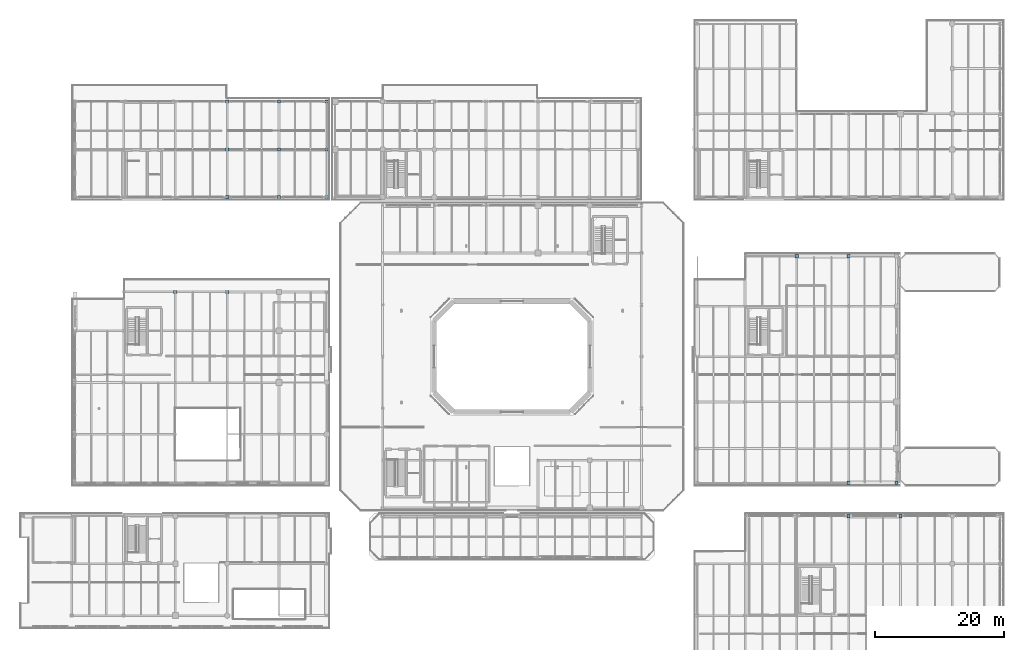
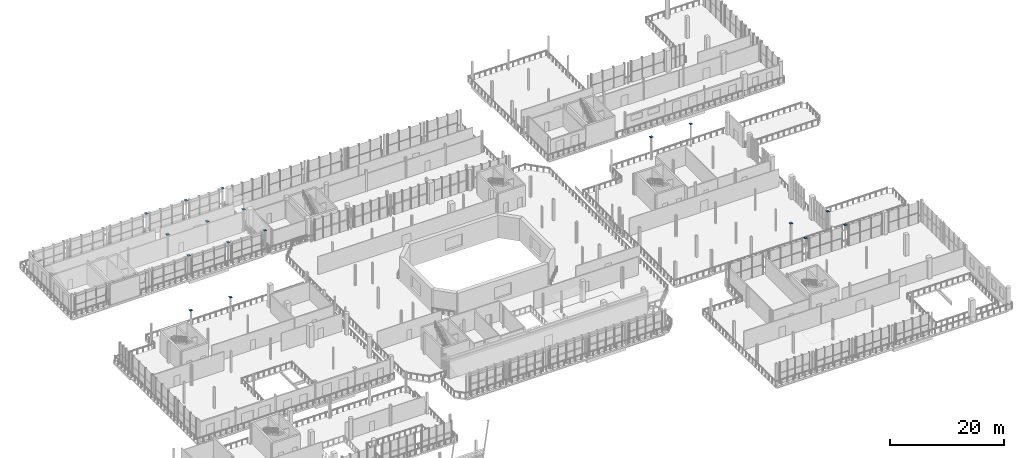
# One storey, part 78 of 93: 17 discrete accessories.
"""IFC4 building model written with IfcOpenShell, lengths in metres."""

from ifc_helpers import new_model, si_unit, direction, frame, origin, origin_2d, place, context, subcontext, project, spatial, rectangle, extrude, material, type_object, element, save


model = new_model("IFC4")

# Units and contexts
model_context = context("Model", 3, precision=1e-05, world=origin(), true_north=direction((0.0, 1.0)))
body_context = subcontext(model_context, "Body", "Model", "MODEL_VIEW")
ifc_project = project(units=[si_unit("LENGTHUNIT", "METRE"), si_unit("AREAUNIT", "SQUARE_METRE"), si_unit("VOLUMEUNIT", "CUBIC_METRE"), si_unit("PLANEANGLEUNIT", "RADIAN"), si_unit("MASSUNIT", "GRAM", prefix="KILO")], contexts=[model_context])

# Site, building, storey
site_placement = place(None, origin())
site = spatial("IfcSite", under=ifc_project, at=site_placement, CompositionType="ELEMENT")
building_placement = place(site_placement, origin())
building = spatial("IfcBuilding", under=site, at=building_placement, Name="Brisemont Oceanarium", CompositionType="ELEMENT")
storey_placement = place(building_placement, frame((0.0, 0.0, 5.39990234375)))
storey = spatial("IfcBuildingStorey", under=building, at=storey_placement, Name="L01", CompositionType="ELEMENT", Elevation=5.39990234375)

# Discrete accessories
ifc_material = material(Name="Structural Steel ASTM A572 Gr.50", Category="steel")
discrete_accessory_type = type_object("IfcDiscreteAccessoryType", Name="ACC-CAP-STL", PredefinedType="ANCHORPLATE", material=ifc_material)
for number, where, z_axis, x_axis, name in (
    (1, (136.0, 31.35009765625, 4.7900390625), (0.0, 0.0, 1.0), (1.0, 0.0, 0.0), "V3 L01 hollow column welded end cap (3,4)"),
    (2, (144.0, 31.35009765625, 4.7900390625), (0.0, 0.0, 1.0), (1.0, 0.0, 0.0), "V3 L01 hollow column welded end cap (4,4)"),
    (3, (32.0, 66.0, 4.7900390625), (0.0, 0.0, 1.0), (1.0, 0.0, 0.0), "V5W L01 hollow column welded end cap (2,4)"),
    (4, (40.0, 66.0, 4.7900390625), (0.0, 0.0, 1.0), (1.0, 0.0, 0.0), "V5W L01 hollow column welded end cap (3,4)"),
    (5, (128.0, 71.5, 4.7900390625), (0.0, 0.0, 1.0), (1.0, 0.0, 0.0), "V5E L01 hollow column welded end cap (2,5)"),
    (6, (136.0, 36.5, 4.7900390625), (0.0, 0.0, 1.0), (1.0, 0.0, 0.0), "V5E L01 hollow column welded end cap (3,0)"),
    (7, (136.0, 71.5, 4.7900390625), (0.0, 0.0, 1.0), (1.0, 0.0, 0.0), "V5E L01 hollow column welded end cap (3,5)"),
    (8, (143.39990234375, 36.5, 4.7900390625), (0.0, 0.0, 1.0), (1.0, 0.0, 0.0), "V5E L01 hollow column welded end cap (4,0)"),
    (9, (40.0, 80.64990234375, 4.7900390625), (0.0, 0.0, 1.0), (1.0, 0.0, 0.0), "V7W L01 hollow column welded end cap (3,0)"),
    (10, (40.0, 88.0, 4.7900390625), (0.0, 0.0, 1.0), (1.0, 0.0, 0.0), "V7W L01 hollow column welded end cap (3,1)"),
    (11, (40.0, 95.39990234375, 4.7900390625), (0.0, 0.0, 1.0), (1.0, 0.0, 0.0), "V7W L01 hollow column welded end cap (3,2)"),
    (12, (48.0, 80.64990234375, 4.7900390625), (0.0, 0.0, 1.0), (1.0, 0.0, 0.0), "V7W L01 hollow column welded end cap (4,0)"),
    (13, (48.0, 88.0, 4.7900390625), (0.0, 0.0, 1.0), (1.0, 0.0, 0.0), "V7W L01 hollow column welded end cap (4,1)"),
    (14, (48.0, 95.39990234375, 4.7900390625), (0.0, 0.0, 1.0), (1.0, 0.0, 0.0), "V7W L01 hollow column welded end cap (4,2)"),
    (15, (55.35009765625, 80.64990234375, 4.7900390625), (0.0, 0.0, 1.0), (1.0, 0.0, 0.0), "V7W L01 hollow column welded end cap (5,0)"),
    (16, (55.35009765625, 88.0, 4.7900390625), (0.0, 0.0, 1.0), (1.0, 0.0, 0.0), "V7W L01 hollow column welded end cap (5,1)"),
    (17, (55.35009765625, 95.39990234375, 4.7900390625), (0.0, 0.0, 1.0), (1.0, 0.0, 0.0), "V7W L01 hollow column welded end cap (5,2)"),
):
    element("IfcDiscreteAccessory", number, at=place(storey_placement, frame(where, z_axis=z_axis, x_axis=x_axis)), inside=storey, type_object=discrete_accessory_type, Name=name, PredefinedType="ANCHORPLATE", context=body_context, shape_type="SweptSolid", body=[
        extrude(rectangle(XDim=0.5, YDim=0.5, at=origin_2d()), origin(), (0.0, 0.0, 1.0), 0.030029296875),
    ])

save(model, "model.ifc")
